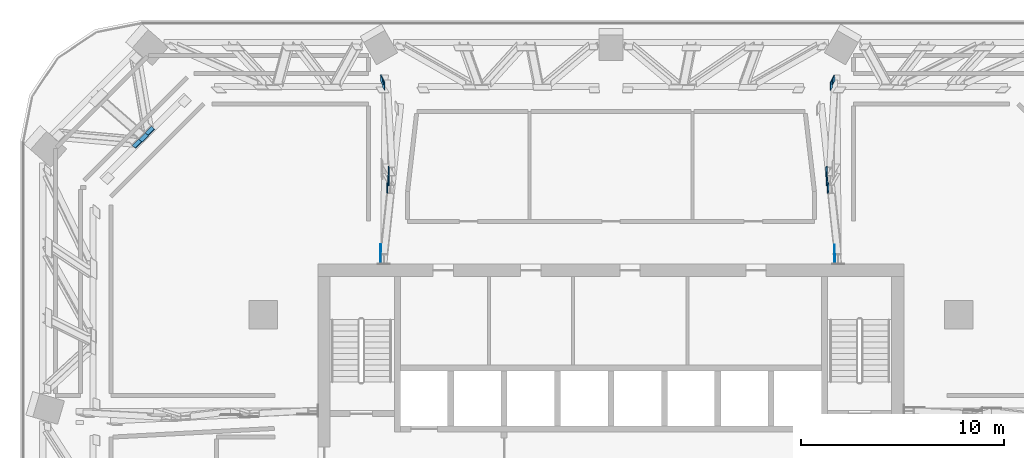
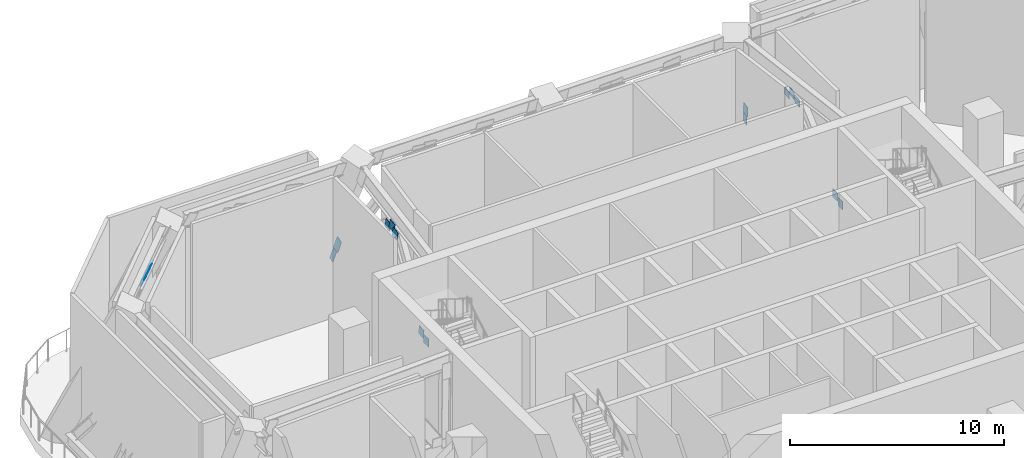
# One storey, part 16 of 24: 17 discrete accessories.
"""IFC4 building model written with IfcOpenShell, lengths in metres."""

import ifcopenshell
import ifcopenshell.guid

model = None  # the IFC model being written
_history = None  # IfcOwnerHistory: only IFC2X3 demands one
_inside = {}  # id of a spatial element -> (the spatial element, [elements in it])
_under = {}  # id of a project, library or spatial element -> (it, [spatial elements below it])
_declared = {}  # id of a project -> (the project, [libraries it declares])
_typed = {}  # id of a type object -> (the type object, [elements of that type])
_made_of = {}  # id of a material, layer set ... -> (it, [elements and type objects made of it])


def new_model(schema):
    """Start an empty IFC model of exactly this schema.

    Asked for "IFC4X3", IfcOpenShell would pick the latest addendum, in which some entities
    have other attributes; the version numbers below select the first issue.
    IFC2X3 requires an IfcOwnerHistory on every rooted entity: one is made here for all.
    """
    global model, _history
    if schema == "IFC4X3":
        model = ifcopenshell.file(schema_version=(4, 3, 0, 0))
    else:
        model = ifcopenshell.file(schema=schema)
    _inside.clear()
    _under.clear()
    _declared.clear()
    _typed.clear()
    _made_of.clear()
    _history = None
    if model.schema == "IFC2X3":
        org = make("IfcOrganization", Name="unknown")
        user = make(
            "IfcPersonAndOrganization",
            ThePerson=make("IfcPerson", FamilyName="unknown"),
            TheOrganization=org,
        )
        app = make(
            "IfcApplication",
            ApplicationDeveloper=org,
            Version="unknown",
            ApplicationFullName="unknown",
            ApplicationIdentifier="unknown",
        )
        _history = make(
            "IfcOwnerHistory",
            OwningUser=user,
            OwningApplication=app,
            ChangeAction="ADDED",
            CreationDate=0,
        )
    return model


def make(cls, **values):
    """One entity of the class cls with the attributes given. An attribute that is None is left unset."""
    return model.create_entity(
        cls, **{name: value for name, value in values.items() if value is not None}
    )


def rooted(cls, **values):
    """An entity with a GlobalId (a new one), such as an element, a storey or a relation."""
    return make(cls, GlobalId=ifcopenshell.guid.new(), OwnerHistory=_history, **values)


def si_unit(unit_type, name, prefix=None):
    """IfcSIUnit, for example si_unit("LENGTHUNIT", "METRE", prefix="MILLI")."""
    return make("IfcSIUnit", UnitType=unit_type, Prefix=prefix, Name=name)


def assignment(units):
    """IfcUnitAssignment: the units of a project."""
    return None if units is None else make("IfcUnitAssignment", Units=units)


def point(xyz):
    """IfcCartesianPoint."""
    return None if xyz is None else make("IfcCartesianPoint", Coordinates=xyz)


def direction(xyz):
    """IfcDirection."""
    return None if xyz is None else make("IfcDirection", DirectionRatios=xyz)


def frame(location, z_axis=None, x_axis=None):
    """IfcAxis2Placement3D, a coordinate frame: its origin and axes. An axis left out is left unset."""
    return make(
        "IfcAxis2Placement3D",
        Location=point(location),
        Axis=direction(z_axis),
        RefDirection=direction(x_axis),
    )


def frame_2d(location, x_axis=None):
    """IfcAxis2Placement2D, a coordinate frame in the plane: its origin and x axis."""
    return make(
        "IfcAxis2Placement2D", Location=point(location), RefDirection=direction(x_axis)
    )


def origin():
    """The frame at (0, 0, 0) with its axes left unset."""
    return frame((0.0, 0.0, 0.0))


def origin_2d():
    """The frame at (0, 0) in the plane with its x axis left unset."""
    return frame_2d((0.0, 0.0))


def place(relative_to, where):
    """IfcLocalPlacement: puts the frame where relative to a parent placement (None: the world)."""
    return make(
        "IfcLocalPlacement", PlacementRelTo=relative_to, RelativePlacement=where
    )


def context(
    kind, dimensions, precision=None, world=None, true_north=None, identifier=None
):
    """IfcGeometricRepresentationContext, for example the 3D "Model" context."""
    return make(
        "IfcGeometricRepresentationContext",
        ContextIdentifier=identifier,
        ContextType=kind,
        CoordinateSpaceDimension=dimensions,
        Precision=precision,
        WorldCoordinateSystem=world,
        TrueNorth=true_north,
    )


def subcontext(parent, identifier, kind, view, scale=None):
    """IfcGeometricRepresentationSubContext, for example "Body" below "Model"."""
    return make(
        "IfcGeometricRepresentationSubContext",
        ContextIdentifier=identifier,
        ContextType=kind,
        ParentContext=parent,
        TargetScale=scale,
        TargetView=view,
    )


def project(units=None, contexts=None):
    """IfcProject with its units and contexts."""
    return rooted(
        "IfcProject",
        Name="project",
        RepresentationContexts=contexts,
        UnitsInContext=assignment(units),
    )


def spatial(cls, under=None, at=None, **own):
    """A site, building, storey or space (cls), placed at a placement, below another one or the project."""
    s = rooted(cls, ObjectPlacement=at, **own)
    if under is not None:
        _under.setdefault(under.id(), (under, []))[1].append(s)
    return s


def profile(cls, at=None, kind="AREA", **sizes):
    """A parametric profile (cls). Its sizes go by their IFC names, for example OverallWidth=200.0."""
    return make(cls, ProfileType=kind, Position=at, **sizes)


def rectangle(**sizes):
    """IfcRectangleProfileDef."""
    return profile("IfcRectangleProfileDef", **sizes)


def extrude(swept, where, along, depth):
    """IfcExtrudedAreaSolid: the profile swept, set in the frame where, extruded along a direction by depth."""
    return make(
        "IfcExtrudedAreaSolid",
        SweptArea=swept,
        Position=where,
        ExtrudedDirection=direction(along),
        Depth=depth,
    )


def shape(context_of_items, identifier, shape_type, items):
    """IfcShapeRepresentation: the items that make up one representation, for example the "Body"."""
    return make(
        "IfcShapeRepresentation",
        ContextOfItems=context_of_items,
        RepresentationIdentifier=identifier,
        RepresentationType=shape_type,
        Items=items,
    )


def material(Name=None, Category=None):
    """IfcMaterial."""
    return make("IfcMaterial", Name=Name, Category=Category)


def layer(
    of_material, thickness, ventilated=None, Name=None, Category=None, Priority=None
):
    """IfcMaterialLayer: one layer of a wall or slab, of a material (None: an air gap)."""
    return make(
        "IfcMaterialLayer",
        Material=of_material,
        LayerThickness=thickness,
        IsVentilated=ventilated,
        Name=Name,
        Category=Category,
        Priority=Priority,
    )


def layer_set(layers, Name=None):
    """IfcMaterialLayerSet."""
    return make("IfcMaterialLayerSet", MaterialLayers=layers, LayerSetName=Name)


def made_of(thing, what):
    """Note that an element or type object is made of a material, layer set ...; save() writes the relation."""
    if what is not None:
        _made_of.setdefault(what.id(), (what, []))[1].append(thing)
    return thing


def type_object(cls, material=None, **own):
    """A type object (cls), such as IfcWallType, which elements share."""
    return made_of(rooted(cls, **own), material)


def element(
    cls,
    number,
    at=None,
    inside=None,
    cuts=None,
    type_object=None,
    material=None,
    context=None,
    identifier="Body",
    shape_type=None,
    held_by="IfcProductDefinitionShape",
    body=None,
    shapes=None,
    **own,
):
    """One element of the class cls, such as IfcWall. Its Tag is "e" and its number.

    at: its placement. inside: the storey or other place that contains it. cuts: it is an
    opening in that element (IfcRelVoidsElement). A single representation is given by context,
    identifier, shape_type and body (its items); several are given by shapes. held_by: the class
    of the entity that holds the representations. save() writes the other relations.
    """
    e = rooted(cls, Tag="e%d" % number, ObjectPlacement=at, **own)
    if body is not None:
        shapes = [shape(context, identifier, shape_type, body)]
    if shapes is not None:
        e.Representation = make(held_by, Representations=shapes)
    if inside is not None:
        _inside.setdefault(inside.id(), (inside, []))[1].append(e)
    if cuts is not None:
        rooted(
            "IfcRelVoidsElement", RelatingBuildingElement=cuts, RelatedOpeningElement=e
        )
    if type_object is not None:
        _typed.setdefault(type_object.id(), (type_object, []))[1].append(e)
    return made_of(e, material)


def aggregate(whole, parts):
    """IfcRelAggregates: a whole, such as a stair, and the parts it consists of."""
    return rooted("IfcRelAggregates", RelatingObject=whole, RelatedObjects=parts)


def save(model, path):
    """Write the relations noted so far, then the file.

    IfcRelAggregates (storeys below a building ...), IfcRelContainedInSpatialStructure (elements
    in a storey), IfcRelDefinesByType, IfcRelAssociatesMaterial and IfcRelDeclares: one each for
    every whole, place, type object, material and project.
    """
    for whole, parts in _under.values():
        aggregate(whole, parts)
    for where, things in _inside.values():
        rooted(
            "IfcRelContainedInSpatialStructure",
            RelatedElements=things,
            RelatingStructure=where,
        )
    for kind, things in _typed.values():
        rooted("IfcRelDefinesByType", RelatedObjects=things, RelatingType=kind)
    for what, things in _made_of.values():
        rooted("IfcRelAssociatesMaterial", RelatedObjects=things, RelatingMaterial=what)
    for by, libraries in _declared.values():
        rooted("IfcRelDeclares", RelatingContext=by, RelatedDefinitions=libraries)
    model.write(path)


model = new_model("IFC4")

# Units and contexts
model_context = context("Model", 3, precision=1e-05, world=origin(), true_north=direction((0.0, 1.0)))
body_context = subcontext(model_context, "Body", "Model", "MODEL_VIEW")
ifc_project = project(units=[si_unit("LENGTHUNIT", "METRE"), si_unit("AREAUNIT", "SQUARE_METRE"), si_unit("VOLUMEUNIT", "CUBIC_METRE"), si_unit("PLANEANGLEUNIT", "RADIAN"), si_unit("MASSUNIT", "GRAM", prefix="KILO")], contexts=[model_context])

# Site, building, storey
site_placement = place(None, origin())
site = spatial("IfcSite", under=ifc_project, at=site_placement, CompositionType="ELEMENT")
building_placement = place(site_placement, origin())
building = spatial("IfcBuilding", under=site, at=building_placement, Name="Mopane Tessera Tower", CompositionType="ELEMENT")
storey_placement = place(building_placement, frame((0.0, 0.0, 148.60009765625)))
storey = spatial("IfcBuildingStorey", under=building, at=storey_placement, Name="L30", CompositionType="ELEMENT", Elevation=148.60009765625)

# Discrete accessories
ifc_material = material(Name="Structural steel S460", Category="steel")
ifc_layer = layer(ifc_material, 0.030029296875)
ifc_layer_set = layer_set([ifc_layer], Name="Structural steel S460")
discrete_accessory_type = type_object("IfcDiscreteAccessoryType", Name="Truss node plate 30 mm", PredefinedType="BRACKET", material=ifc_layer_set)
discrete_accessory_1_placement = place(storey_placement, frame((10.999755859375, 13.765380859375, 2.77783203125), z_axis=(-0.004734149913, -0.007890249855, 0.999957664995), x_axis=(-0.999878209308, 0.014908313666, -0.004616138442)))
element("IfcDiscreteAccessory", 1, at=discrete_accessory_1_placement, inside=storey, type_object=discrete_accessory_type, Name="Truss node plate s ot L30 N1 0", PredefinedType="BRACKET", context=body_context, shape_type="SweptSolid", body=[
    extrude(rectangle(XDim=0.030029296875, YDim=0.4638671875, at=origin_2d()), origin(), (0.0, 0.0, 1.0), 0.464111328125),
])
discrete_accessory_2_placement = place(storey_placement, frame((10.99169921875, 14.2314453125, 2.99169921875), z_axis=(-0.012095197508, -0.021561004253, 0.999694367941), x_axis=(-0.999824438932, -0.014047690535, -0.012399746137)))
element("IfcDiscreteAccessory", 2, at=discrete_accessory_2_placement, inside=storey, type_object=discrete_accessory_type, Name="Truss node plate s ot L30 N1 2", PredefinedType="BRACKET", context=body_context, shape_type="SweptSolid", body=[
    extrude(rectangle(XDim=0.030029296875, YDim=0.4638671875, at=origin_2d()), origin(), (0.0, 0.0, 1.0), 0.46435546875),
])
discrete_accessory_3_placement = place(storey_placement, frame((10.681396484375, 17.26025390625, 6.64404296875), z_axis=(-0.069817694064, -0.122962505963, 0.989952378513), x_axis=(-0.997518488763, -0.000422141326, -0.070403738341)))
element("IfcDiscreteAccessory", 3, at=discrete_accessory_3_placement, inside=storey, type_object=discrete_accessory_type, Name="Truss node plate s ot L30 N1 3", PredefinedType="BRACKET", context=body_context, shape_type="SweptSolid", body=[
    extrude(rectangle(XDim=0.030029296875, YDim=0.4638671875, at=origin_2d()), origin(), (0.0, 0.0, 1.0), 0.468505859375),
])
discrete_accessory_4_placement = place(storey_placement, frame((10.62841796875, 17.6474609375, 6.863525390625), z_axis=(-0.077736967258, -0.135773470211, 0.987685440162), x_axis=(-0.996958803424, 0.005134021632, -0.077761083441)))
element("IfcDiscreteAccessory", 4, at=discrete_accessory_4_placement, inside=storey, type_object=discrete_accessory_type, Name="Truss node plate s ot L30 N1 5", PredefinedType="BRACKET", context=body_context, shape_type="SweptSolid", body=[
    extrude(rectangle(XDim=0.030029296875, YDim=0.452880859375, at=origin_2d()), origin(), (0.0, 0.0, 1.0), 0.45849609375),
])
discrete_accessory_5_placement = place(storey_placement, frame((10.611328125, 18.08642578125, 6.638427734375), z_axis=(-0.084972025491, -0.149232119769, 0.985144420536), x_axis=(-0.996352350992, 0.004928660665, -0.085192141516)))
element("IfcDiscreteAccessory", 5, at=discrete_accessory_5_placement, inside=storey, type_object=discrete_accessory_type, Name="Truss node plate s ot L30 N1 6", PredefinedType="BRACKET", context=body_context, shape_type="SweptSolid", body=[
    extrude(rectangle(XDim=0.030029296875, YDim=0.452880859375, at=origin_2d()), origin(), (0.0, 0.0, 1.0), 0.459716796875),
])
discrete_accessory_6_placement = place(storey_placement, frame((10.88330078125, 22.412841796875, 2.89990234375), z_axis=(-0.142709152713, -0.250875014183, 0.957442335073), x_axis=(-0.98973148475, 0.028250101399, -0.140119662667)))
element("IfcDiscreteAccessory", 6, at=discrete_accessory_6_placement, inside=storey, type_object=discrete_accessory_type, Name="Truss node plate s ot L30 N1 8", PredefinedType="BRACKET", context=body_context, shape_type="SweptSolid", body=[
    extrude(rectangle(XDim=0.030029296875, YDim=0.415771484375, at=origin_2d()), origin(), (0.0, 0.0, 1.0), 0.69970703125),
])
discrete_accessory_7_placement = place(storey_placement, frame((10.984619140625, 22.641845703125, 2.219970703125), z_axis=(-0.143354970337, -0.251830385848, 0.957094984442), x_axis=(-0.989640907908, 0.028893372677, -0.140627331661)))
element("IfcDiscreteAccessory", 7, at=discrete_accessory_7_placement, inside=storey, type_object=discrete_accessory_type, Name="Truss node plate s ot L30 N1 9", PredefinedType="BRACKET", context=body_context, shape_type="SweptSolid", body=[
    extrude(rectangle(XDim=0.030029296875, YDim=0.314208984375, at=origin_2d()), origin(), (0.0, 0.0, 1.0), 0.699951171875),
])
discrete_accessory_8_placement = place(storey_placement, frame((-11.331787109375, 13.767822265625, 2.77783203125), z_axis=(0.004734149913, -0.007890249855, 0.999957664995), x_axis=(-0.999878209308, -0.014908313666, 0.004616138442)))
element("IfcDiscreteAccessory", 8, at=discrete_accessory_8_placement, inside=storey, type_object=discrete_accessory_type, Name="Truss node plate s ot L30 N3 0", PredefinedType="BRACKET", context=body_context, shape_type="SweptSolid", body=[
    extrude(rectangle(XDim=0.030029296875, YDim=0.4638671875, at=origin_2d()), origin(), (0.0, 0.0, 1.0), 0.464111328125),
])
discrete_accessory_9_placement = place(storey_placement, frame((-11.32373046875, 14.234130859375, 2.99169921875), z_axis=(0.012095197508, -0.021561004253, 0.999694367941), x_axis=(-0.999824438932, 0.014047690535, 0.012399746137)))
element("IfcDiscreteAccessory", 9, at=discrete_accessory_9_placement, inside=storey, type_object=discrete_accessory_type, Name="Truss node plate s ot L30 N3 2", PredefinedType="BRACKET", context=body_context, shape_type="SweptSolid", body=[
    extrude(rectangle(XDim=0.030029296875, YDim=0.4638671875, at=origin_2d()), origin(), (0.0, 0.0, 1.0), 0.46435546875),
])
discrete_accessory_10_placement = place(storey_placement, frame((-11.013427734375, 17.2626953125, 6.64404296875), z_axis=(0.070336153517, -0.122958016518, 0.98991623468), x_axis=(-0.997505801013, -0.002783967145, 0.070529614153)))
element("IfcDiscreteAccessory", 10, at=discrete_accessory_10_placement, inside=storey, type_object=discrete_accessory_type, Name="Truss node plate s ot L30 N3 3", PredefinedType="BRACKET", context=body_context, shape_type="SweptSolid", body=[
    extrude(rectangle(XDim=0.030029296875, YDim=0.4638671875, at=origin_2d()), origin(), (0.0, 0.0, 1.0), 0.468505859375),
])
discrete_accessory_11_placement = place(storey_placement, frame((-10.96044921875, 17.64990234375, 6.863525390625), z_axis=(0.077736967258, -0.135773470211, 0.987685440162), x_axis=(-0.996958803424, -0.005134021632, 0.077761083441)))
element("IfcDiscreteAccessory", 11, at=discrete_accessory_11_placement, inside=storey, type_object=discrete_accessory_type, Name="Truss node plate s ot L30 N3 5", PredefinedType="BRACKET", context=body_context, shape_type="SweptSolid", body=[
    extrude(rectangle(XDim=0.030029296875, YDim=0.452880859375, at=origin_2d()), origin(), (0.0, 0.0, 1.0), 0.45849609375),
])
discrete_accessory_12_placement = place(storey_placement, frame((-10.943359375, 18.0888671875, 6.638427734375), z_axis=(0.084978748634, -0.14871281011, 0.985222366976), x_axis=(-0.996362800861, -0.006423813535, 0.08497001636)))
element("IfcDiscreteAccessory", 12, at=discrete_accessory_12_placement, inside=storey, type_object=discrete_accessory_type, Name="Truss node plate s ot L30 N3 6", PredefinedType="BRACKET", context=body_context, shape_type="SweptSolid", body=[
    extrude(rectangle(XDim=0.030029296875, YDim=0.452880859375, at=origin_2d()), origin(), (0.0, 0.0, 1.0), 0.459716796875),
])
discrete_accessory_13_placement = place(storey_placement, frame((-11.21533203125, 22.415283203125, 2.89990234375), z_axis=(0.142721637831, -0.250548009688, 0.957526098306), x_axis=(-0.989734531237, -0.028806988163, 0.139984695982)))
element("IfcDiscreteAccessory", 13, at=discrete_accessory_13_placement, inside=storey, type_object=discrete_accessory_type, Name="Truss node plate s ot L30 N3 8", PredefinedType="BRACKET", context=body_context, shape_type="SweptSolid", body=[
    extrude(rectangle(XDim=0.030029296875, YDim=0.415771484375, at=origin_2d()), origin(), (0.0, 0.0, 1.0), 0.69970703125),
])
discrete_accessory_14_placement = place(storey_placement, frame((-11.316650390625, 22.64453125, 2.219970703125), z_axis=(0.143342371362, -0.252157018236, 0.957010868657), x_axis=(-0.989637746407, -0.028340164873, 0.140762089858)))
element("IfcDiscreteAccessory", 14, at=discrete_accessory_14_placement, inside=storey, type_object=discrete_accessory_type, Name="Truss node plate s ot L30 N3 9", PredefinedType="BRACKET", context=body_context, shape_type="SweptSolid", body=[
    extrude(rectangle(XDim=0.030029296875, YDim=0.314208984375, at=origin_2d()), origin(), (0.0, 0.0, 1.0), 0.699951171875),
])
for number, where, z_axis, x_axis, name in (
    (15, (-22.73291015625, 20.109130859375, 7.02099609375), (0.309393348836, -0.271290719669, 0.911414889673), (0.636311085764, -0.653187245506, -0.410432240987), "Truss node plate s bt L30 N4-W0 2"),
    (16, (-23.034912109375, 19.779296875, 7.06494140625), (0.309393348836, -0.271290719669, 0.911414889673), (0.636311085764, -0.653187245506, -0.410432240987), "Truss node plate s bt L30 N4-W0 4"),
    (17, (-23.366455078125, 19.4755859375, 7.02099609375), (0.309393348836, -0.271290719669, 0.911414889673), (0.636311085764, -0.653187245506, -0.410432240987), "Truss node plate s bt L30 N4-W0 5"),
):
    element("IfcDiscreteAccessory", number, at=place(storey_placement, frame(where, z_axis=z_axis, x_axis=x_axis)), inside=storey, type_object=discrete_accessory_type, Name=name, PredefinedType="BRACKET", context=body_context, shape_type="SweptSolid", body=[
        extrude(rectangle(XDim=0.030029296875, YDim=0.43798828125, at=origin_2d()), origin(), (0.0, 0.0, 1.0), 0.48046875),
    ])

save(model, "model.ifc")
